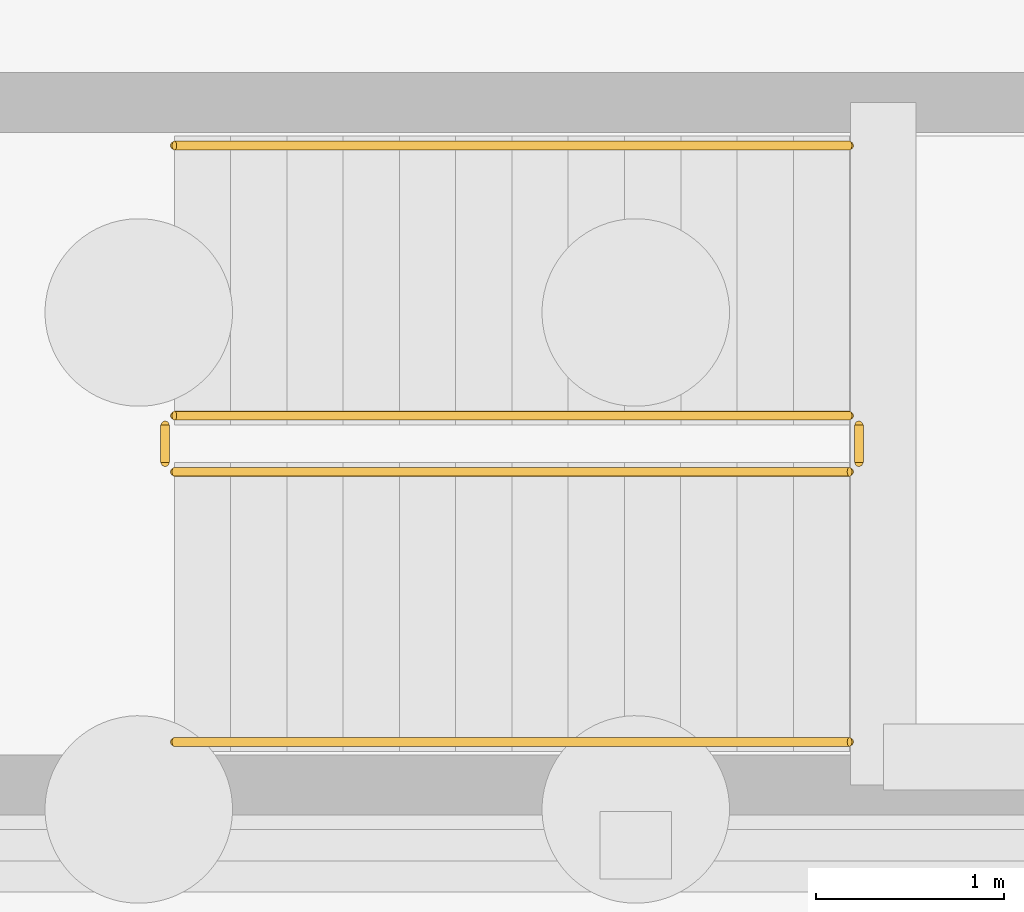
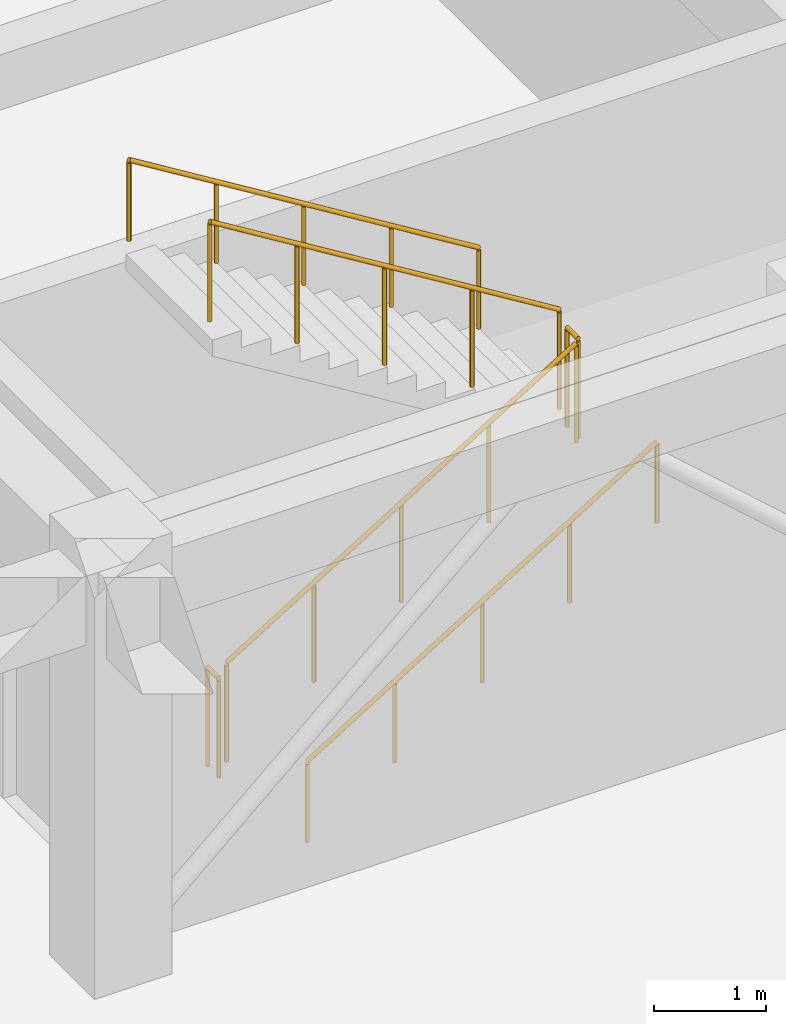
# One storey, part 33 of 37: 6 railings.
"""IFC4 building model written with IfcOpenShell, lengths in metres."""

from ifc_helpers import new_model, si_unit, direction, frame, origin, origin_2d, place, context, subcontext, project, spatial, circle, extrude, material, type_object, element, save


model = new_model("IFC4")

# Units and contexts
model_context = context("Model", 3, precision=1e-05, world=origin(), true_north=direction((0.0, 1.0)))
body_context = subcontext(model_context, "Body", "Model", "MODEL_VIEW")
ifc_project = project(units=[si_unit("LENGTHUNIT", "METRE"), si_unit("AREAUNIT", "SQUARE_METRE"), si_unit("VOLUMEUNIT", "CUBIC_METRE"), si_unit("PLANEANGLEUNIT", "RADIAN"), si_unit("MASSUNIT", "GRAM", prefix="KILO")], contexts=[model_context])

# Site, building, storey
site_placement = place(None, origin())
site = spatial("IfcSite", under=ifc_project, at=site_placement, CompositionType="ELEMENT")
building_placement = place(site_placement, origin())
building = spatial("IfcBuilding", under=site, at=building_placement, Name="Tarnavel Promenade Courthouse", CompositionType="ELEMENT")
storey_placement = place(building_placement, frame((0.0, 0.0, -4.800048828125)))
storey = spatial("IfcBuildingStorey", under=building, at=storey_placement, Name="B01", CompositionType="ELEMENT", Elevation=-4.800048828125)

# Railings
ifc_material_1 = material(Name="Brushed Bronze Tubular Stair Handrail")
railing_type_1 = type_object("IfcRailingType", Name="Brushed Bronze Tubular Stair Handrail (RL-HND-0900)", PredefinedType="HANDRAIL", material=ifc_material_1)
railing_1_placement = place(storey_placement, frame((31.139892578125, 98.64990234375, 0.1845703125)))
element("IfcRailing", 1, at=railing_1_placement, inside=storey, type_object=railing_type_1, Name="B01 ST-07 stair handrail 1", PredefinedType="HANDRAIL", context=body_context, shape_type="SweptSolid", body=[
    extrude(circle(Radius=0.02392578125, at=origin_2d()), frame((0.0, 0.0, 0.8759765625), z_axis=(0.851644435552, 0.0, 0.524119981868), x_axis=(0.0, 1.0, 0.0)), (0.0, 0.0, 1.0), 4.227294921875),
    extrude(circle(Radius=0.02099609375, at=origin_2d()), origin(), (0.0, 0.0, 1.0), 0.851806640625),
    extrude(circle(Radius=0.02099609375, at=origin_2d()), frame((0.89990234375, 0.0, 0.553955078125)), (0.0, 0.0, 1.0), 0.851806640625),
    extrude(circle(Radius=0.02099609375, at=origin_2d()), frame((1.800048828125, 0.0, 1.10791015625)), (0.0, 0.0, 1.0), 0.851806640625),
    extrude(circle(Radius=0.02099609375, at=origin_2d()), frame((2.7001953125, 0.0, 1.66162109375)), (0.0, 0.0, 1.0), 0.851806640625),
    extrude(circle(Radius=0.02099609375, at=origin_2d()), frame((3.60009765625, 0.0, 2.215576171875)), (0.0, 0.0, 1.0), 0.851806640625),
])
railing_2_placement = place(storey_placement, frame((34.739990234375, 101.830078125, 2.584716796875)))
element("IfcRailing", 2, at=railing_2_placement, inside=storey, type_object=railing_type_1, Name="B01 ST-07 stair handrail 2", PredefinedType="HANDRAIL", context=body_context, shape_type="SweptSolid", body=[
    extrude(circle(Radius=0.02392578125, at=origin_2d()), frame((0.0, 0.0, 0.8759765625), z_axis=(-0.85167021472, 0.0, 0.524078090897), x_axis=(0.0, -1.0, 0.0)), (0.0, 0.0, 1.0), 4.22705078125),
    extrude(circle(Radius=0.02099609375, at=origin_2d()), origin(), (0.0, 0.0, 1.0), 0.851806640625),
    extrude(circle(Radius=0.02099609375, at=origin_2d()), frame((-0.89990234375, 0.0, 0.5537109375)), (0.0, 0.0, 1.0), 0.851806640625),
    extrude(circle(Radius=0.02099609375, at=origin_2d()), frame((-1.800048828125, 0.0, 1.107666015625)), (0.0, 0.0, 1.0), 0.851806640625),
    extrude(circle(Radius=0.02099609375, at=origin_2d()), frame((-2.7001953125, 0.0, 1.66162109375)), (0.0, 0.0, 1.0), 0.851806640625),
    extrude(circle(Radius=0.02099609375, at=origin_2d()), frame((-3.60009765625, 0.0, 2.21533203125)), (0.0, 0.0, 1.0), 0.851806640625),
])
ifc_material_2 = material(Name="Painted Architectural Steel Core Stair Guardrail", Category="steel")
railing_type_2 = type_object("IfcRailingType", Name="Painted Architectural Steel Core Stair Guardrail (RL-GRD-1100)", PredefinedType="GUARDRAIL", material=ifc_material_2)
railing_3_placement = place(storey_placement, frame((31.139892578125, 100.090087890625, 0.1845703125)))
element("IfcRailing", 3, at=railing_3_placement, inside=storey, type_object=railing_type_2, Name="B01 ST-07 stair guard 1", PredefinedType="GUARDRAIL", context=body_context, shape_type="SweptSolid", body=[
    extrude(circle(Radius=0.02392578125, at=origin_2d()), frame((0.0, 0.0, 1.076171875), z_axis=(0.851644435552, 0.0, 0.524119981868), x_axis=(0.0, 1.0, 0.0)), (0.0, 0.0, 1.0), 4.227294921875),
    extrude(circle(Radius=0.02099609375, at=origin_2d()), origin(), (0.0, 0.0, 1.0), 1.052001953125),
    extrude(circle(Radius=0.02099609375, at=origin_2d()), frame((0.89990234375, 0.0, 0.553955078125)), (0.0, 0.0, 1.0), 1.052001953125),
    extrude(circle(Radius=0.02099609375, at=origin_2d()), frame((1.800048828125, 0.0, 1.10791015625)), (0.0, 0.0, 1.0), 1.052001953125),
    extrude(circle(Radius=0.02099609375, at=origin_2d()), frame((2.7001953125, 0.0, 1.66162109375)), (0.0, 0.0, 1.0), 1.052001953125),
    extrude(circle(Radius=0.02099609375, at=origin_2d()), frame((3.60009765625, 0.0, 2.215576171875)), (0.0, 0.0, 1.0), 1.052001953125),
])
railing_4_placement = place(storey_placement, frame((34.7900390625, 100.139892578125, 2.400146484375)))
element("IfcRailing", 4, at=railing_4_placement, inside=storey, type_object=railing_type_2, Name="B01 ST-07 stair guard 2", PredefinedType="GUARDRAIL", context=body_context, shape_type="SweptSolid", body=[
    extrude(circle(Radius=0.02392578125, at=origin_2d()), frame((0.0, 0.0, 1.076171875), z_axis=(0.0, 1.0, 0.0), x_axis=(-1.0, 0.0, 0.0)), (0.0, 0.0, 1.0), 0.2001953125),
    extrude(circle(Radius=0.02099609375, at=origin_2d()), origin(), (0.0, 0.0, 1.0), 1.052001953125),
    extrude(circle(Radius=0.02099609375, at=origin_2d()), frame((0.0, 0.2001953125, 0.0)), (0.0, 0.0, 1.0), 1.052001953125),
])
railing_5_placement = place(storey_placement, frame((34.739990234375, 100.389892578125, 2.584716796875)))
element("IfcRailing", 5, at=railing_5_placement, inside=storey, type_object=railing_type_2, Name="B01 ST-07 stair guard 3", PredefinedType="GUARDRAIL", context=body_context, shape_type="SweptSolid", body=[
    extrude(circle(Radius=0.02392578125, at=origin_2d()), frame((0.0, 0.0, 1.076171875), z_axis=(-0.85167021472, 0.0, 0.524078090897), x_axis=(0.0, -1.0, 0.0)), (0.0, 0.0, 1.0), 4.22705078125),
    extrude(circle(Radius=0.02099609375, at=origin_2d()), origin(), (0.0, 0.0, 1.0), 1.052001953125),
    extrude(circle(Radius=0.02099609375, at=origin_2d()), frame((-0.89990234375, 0.0, 0.5537109375)), (0.0, 0.0, 1.0), 1.052001953125),
    extrude(circle(Radius=0.02099609375, at=origin_2d()), frame((-1.800048828125, 0.0, 1.107666015625)), (0.0, 0.0, 1.0), 1.052001953125),
    extrude(circle(Radius=0.02099609375, at=origin_2d()), frame((-2.7001953125, 0.0, 1.66162109375)), (0.0, 0.0, 1.0), 1.052001953125),
    extrude(circle(Radius=0.02099609375, at=origin_2d()), frame((-3.60009765625, 0.0, 2.21533203125)), (0.0, 0.0, 1.0), 1.052001953125),
])
railing_6_placement = place(storey_placement, frame((31.090087890625, 100.139892578125, 0.0)))
element("IfcRailing", 6, at=railing_6_placement, inside=storey, type_object=railing_type_2, Name="B01 ST-07 stair guard 4", PredefinedType="GUARDRAIL", context=body_context, shape_type="SweptSolid", body=[
    extrude(circle(Radius=0.02392578125, at=origin_2d()), frame((0.0, 0.0, 1.076171875), z_axis=(0.0, 1.0, 0.0), x_axis=(-1.0, 0.0, 0.0)), (0.0, 0.0, 1.0), 0.2001953125),
    extrude(circle(Radius=0.02099609375, at=origin_2d()), origin(), (0.0, 0.0, 1.0), 1.052001953125),
    extrude(circle(Radius=0.02099609375, at=origin_2d()), frame((0.0, 0.2001953125, 0.0)), (0.0, 0.0, 1.0), 1.052001953125),
])

save(model, "model.ifc")
